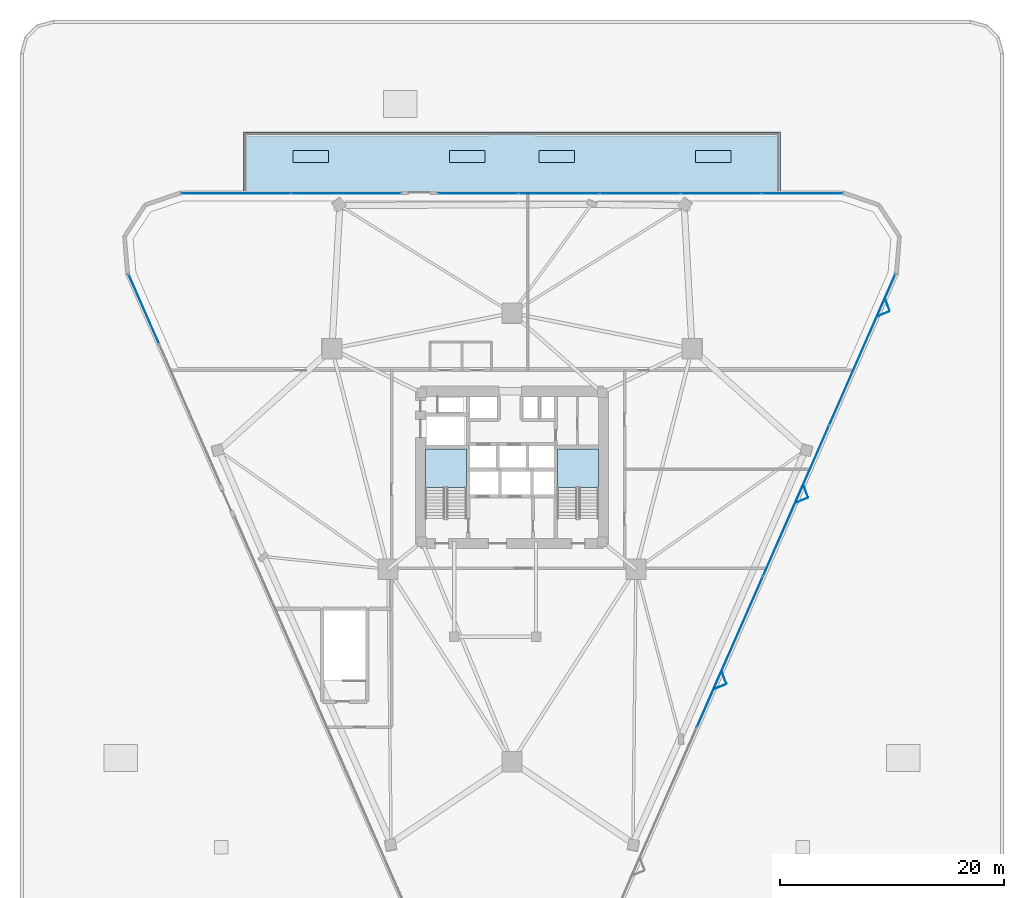
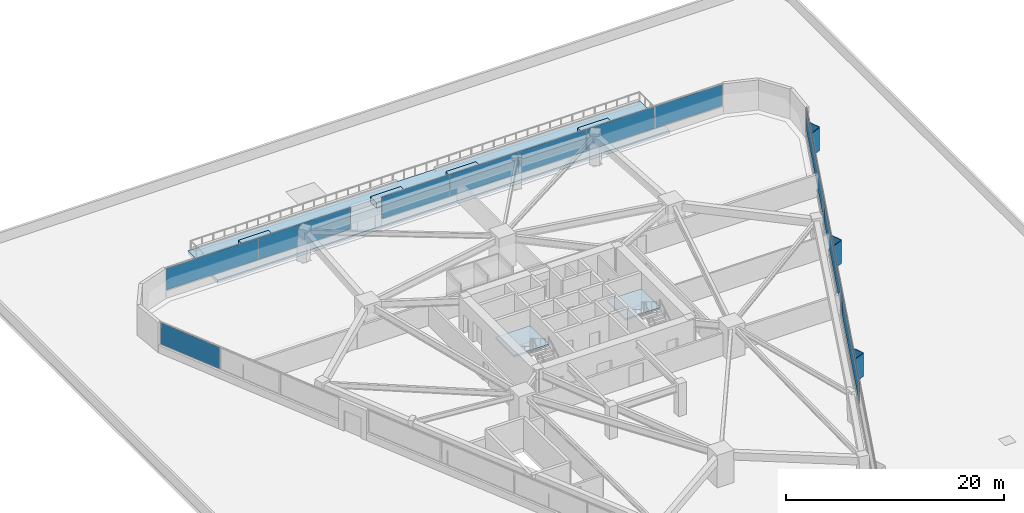
# One storey, part 14 of 21: 21 plates, 3 slabs, 6 elements without a shape of their own.
"""IFC4 building model written with IfcOpenShell, lengths in metres."""

from ifc_helpers import new_model, si_unit, direction, frame, origin, origin_2d, place, context, subcontext, project, spatial, polyline, rectangle, outline, extrude, material, layer, layer_set, type_object, element, aggregate, save


model = new_model("IFC4")

# Units and contexts
model_context = context("Model", 3, precision=1e-05, world=origin(), true_north=direction((0.0, 1.0)))
body_context = subcontext(model_context, "Body", "Model", "MODEL_VIEW")
ifc_project = project(units=[si_unit("LENGTHUNIT", "METRE"), si_unit("AREAUNIT", "SQUARE_METRE"), si_unit("VOLUMEUNIT", "CUBIC_METRE"), si_unit("PLANEANGLEUNIT", "RADIAN"), si_unit("MASSUNIT", "GRAM", prefix="KILO")], contexts=[model_context])

# Site, building, storey
site_placement = place(None, origin())
site = spatial("IfcSite", under=ifc_project, at=site_placement, CompositionType="ELEMENT")
building_placement = place(site_placement, origin())
building = spatial("IfcBuilding", under=site, at=building_placement, Name="Talyreon Biosciences Tower", CompositionType="ELEMENT")
storey_placement = place(building_placement, frame((0.0, 0.0, 22.800048828125)))
storey = spatial("IfcBuildingStorey", under=building, at=storey_placement, Name="L05", CompositionType="ELEMENT", Elevation=22.800048828125)

# Curtain wall, plate
ifc_material_1 = material(Name="Thermally broken aluminium and low-E glazing", Category="aluminium")
ifc_layer_1 = layer(ifc_material_1, 0.195068359375)
ifc_layer_set_1 = layer_set([ifc_layer_1], Name="Thermally broken aluminium and low-E glazing")
curtain_wall_type = type_object("IfcCurtainWallType", Name="CurtainWall_Zone1WetLab", PredefinedType="NOTDEFINED", material=ifc_layer_set_1)
curtain_wall_1_placement = place(storey_placement, origin())
curtain_wall_1 = element("IfcCurtainWall", 1, at=curtain_wall_1_placement, inside=storey, type_object=curtain_wall_type, Name="L05 Unitised Curtain Wall FCW-L05-00B", PredefinedType="NOTDEFINED")
ifc_material_2 = material(Name="Triple-silver low-E insulated glazing", Category="glass")
ifc_layer_2 = layer(ifc_material_2, 0.031982421875)
ifc_layer_set_2 = layer_set([ifc_layer_2], Name="Triple-silver low-E insulated glazing")
plate_type_1 = type_object("IfcPlateType", Name="CWGlazingPanel_32", PredefinedType="CURTAIN_PANEL", material=ifc_layer_set_2)
plate_1_placement = place(storey_placement, frame((33.078857421875, 82.14990234375, 0.875), z_axis=(0.0, 0.0, 1.0), x_axis=(-0.401346835636, 0.915926152878, 0.0)))
plate_1 = element("IfcPlate", 2, at=plate_1_placement, type_object=plate_type_1, Name="CW2 panel 3.1", PredefinedType="CURTAIN_PANEL", context=body_context, shape_type="SweptSolid", body=[
    extrude(rectangle(XDim=6.7470703125, YDim=0.031982421875, at=origin_2d()), origin(), (0.0, 0.0, 1.0), 2.43505859375),
])
aggregate(curtain_wall_1, [plate_1])

# Curtain wall, plates
curtain_wall_2_placement = place(storey_placement, origin())
curtain_wall_2 = element("IfcCurtainWall", 3, at=curtain_wall_2_placement, inside=storey, type_object=curtain_wall_type, Name="L05 Unitised Curtain Wall FCW-L05-04A", PredefinedType="NOTDEFINED")
plate_2_placement = place(storey_placement, frame((41.334716796875, 92.474365234375, 0.875), z_axis=(0.0, 0.0, 1.0), x_axis=(1.0, 0.0, 0.0)))
plate_2 = element("IfcPlate", 4, at=plate_2_placement, type_object=plate_type_1, Name="CW2 panel 1.1", PredefinedType="CURTAIN_PANEL", context=body_context, shape_type="SweptSolid", body=[
    extrude(rectangle(XDim=9.762451171875, YDim=0.031982421875, at=origin_2d()), origin(), (0.0, 0.0, 1.0), 2.43505859375),
])
plate_3_placement = place(storey_placement, frame((51.162353515625, 92.474365234375, 0.875), z_axis=(0.0, 0.0, 1.0), x_axis=(1.0, 0.0, 0.0)))
plate_3 = element("IfcPlate", 5, at=plate_3_placement, type_object=plate_type_1, Name="CW2 panel 2.1", PredefinedType="CURTAIN_PANEL", context=body_context, shape_type="SweptSolid", body=[
    extrude(rectangle(XDim=9.762451171875, YDim=0.031982421875, at=origin_2d()), origin(), (0.0, 0.0, 1.0), 2.43505859375),
])
aggregate(curtain_wall_2, [plate_2, plate_3])

curtain_wall_3_placement = place(storey_placement, origin())
curtain_wall_3 = element("IfcCurtainWall", 6, at=curtain_wall_3_placement, inside=storey, type_object=curtain_wall_type, Name="L05 Unitised Curtain Wall FCW-L05-04B", PredefinedType="NOTDEFINED")
plate_4_placement = place(storey_placement, frame((62.955078125, 92.474365234375, 0.875), z_axis=(0.0, 0.0, 1.0), x_axis=(1.0, 0.0, 0.0)))
plate_4 = element("IfcPlate", 7, at=plate_4_placement, type_object=plate_type_1, Name="CW2 panel 1.1", PredefinedType="CURTAIN_PANEL", context=body_context, shape_type="SweptSolid", body=[
    extrude(rectangle(XDim=7.1630859375, YDim=0.031982421875, at=origin_2d()), origin(), (0.0, 0.0, 1.0), 2.43505859375),
])
plate_5_placement = place(storey_placement, frame((70.199462890625, 92.474365234375, 0.875), z_axis=(0.0, 0.0, 1.0), x_axis=(1.0, 0.0, 0.0)))
plate_5 = element("IfcPlate", 8, at=plate_5_placement, type_object=plate_type_1, Name="CW2 panel 2.1", PredefinedType="CURTAIN_PANEL", context=body_context, shape_type="SweptSolid", body=[
    extrude(rectangle(XDim=7.195556640625, YDim=0.031982421875, at=origin_2d()), origin(), (0.0, 0.0, 1.0), 2.43505859375),
])
plate_6_placement = place(storey_placement, frame((77.4599609375, 92.474365234375, 0.875), z_axis=(0.0, 0.0, 1.0), x_axis=(1.0, 0.0, 0.0)))
plate_6 = element("IfcPlate", 9, at=plate_6_placement, type_object=plate_type_1, Name="CW2 panel 3.1", PredefinedType="CURTAIN_PANEL", context=body_context, shape_type="SweptSolid", body=[
    extrude(rectangle(XDim=7.195556640625, YDim=0.031982421875, at=origin_2d()), origin(), (0.0, 0.0, 1.0), 2.43505859375),
])
plate_7_placement = place(storey_placement, frame((84.720703125, 92.474365234375, 0.875), z_axis=(0.0, 0.0, 1.0), x_axis=(1.0, 0.0, 0.0)))
plate_7 = element("IfcPlate", 10, at=plate_7_placement, type_object=plate_type_1, Name="CW2 panel 4.1", PredefinedType="CURTAIN_PANEL", context=body_context, shape_type="SweptSolid", body=[
    extrude(rectangle(XDim=7.195556640625, YDim=0.031982421875, at=origin_2d()), origin(), (0.0, 0.0, 1.0), 2.43505859375),
])
plate_8_placement = place(storey_placement, frame((91.96484375, 92.474365234375, 0.875), z_axis=(0.0, 0.0, 1.0), x_axis=(1.0, 0.0, 0.0)))
plate_8 = element("IfcPlate", 11, at=plate_8_placement, type_object=plate_type_1, Name="CW2 panel 5.1", PredefinedType="CURTAIN_PANEL", context=body_context, shape_type="SweptSolid", body=[
    extrude(rectangle(XDim=7.1630859375, YDim=0.031982421875, at=origin_2d()), origin(), (0.0, 0.0, 1.0), 2.43505859375),
])
aggregate(curtain_wall_3, [plate_4, plate_5, plate_6, plate_7, plate_8])

curtain_wall_4_placement = place(storey_placement, origin())
curtain_wall_4 = element("IfcCurtainWall", 12, at=curtain_wall_4_placement, inside=storey, type_object=curtain_wall_type, Name="L05 Unitised Curtain Wall FCW-L05-08", PredefinedType="NOTDEFINED")
plate_9_placement = place(storey_placement, frame((97.33349609375, 78.526611328125, 0.875), z_axis=(0.0, 0.0, 1.0), x_axis=(-0.401345129249, -0.915926900592, 0.0)))
plate_9 = element("IfcPlate", 13, at=plate_9_placement, type_object=plate_type_1, Name="CW2 panel 1.1", PredefinedType="CURTAIN_PANEL", context=body_context, shape_type="SweptSolid", body=[
    extrude(rectangle(XDim=14.65869140625, YDim=0.031982421875, at=origin_2d()), origin(), (0.0, 0.0, 1.0), 2.43505859375),
])
plate_10_placement = place(storey_placement, frame((91.417724609375, 65.026123046875, 0.875), z_axis=(0.0, 0.0, 1.0), x_axis=(-0.401345129249, -0.915926900592, 0.0)))
plate_10 = element("IfcPlate", 14, at=plate_10_placement, type_object=plate_type_1, Name="CW2 panel 2.1", PredefinedType="CURTAIN_PANEL", context=body_context, shape_type="SweptSolid", body=[
    extrude(rectangle(XDim=14.691162109375, YDim=0.031982421875, at=origin_2d()), origin(), (0.0, 0.0, 1.0), 2.43505859375),
])
plate_11_placement = place(storey_placement, frame((85.495361328125, 51.510498046875, 0.875), z_axis=(0.0, 0.0, 1.0), x_axis=(-0.401345129249, -0.915926900592, 0.0)))
plate_11 = element("IfcPlate", 15, at=plate_11_placement, type_object=plate_type_1, Name="CW2 panel 3.1", PredefinedType="CURTAIN_PANEL", context=body_context, shape_type="SweptSolid", body=[
    extrude(rectangle(XDim=14.691162109375, YDim=0.031982421875, at=origin_2d()), origin(), (0.0, 0.0, 1.0), 2.43505859375),
])
aggregate(curtain_wall_4, [plate_9, plate_10, plate_11])

# Plates
ifc_material_3 = material(Name="Ivory GFRC sunshade panel", Category="concrete")
ifc_layer_3 = layer(ifc_material_3, 0.044921875)
ifc_layer_set_3 = layer_set([ifc_layer_3], Name="Ivory GFRC sunshade panel")
plate_type_2 = type_object("IfcPlateType", Name="FoldedVSunshade_SunFace_SUNSHADE", PredefinedType="USERDEFINED", material=ifc_layer_set_3)
for number, where, z_axis, x_axis, name in (
    (16, (99.572265625, 82.539794921875, 0.7900390625), (0.0, 0.0, 1.0), (0.347557606722, -0.937658631918, 0.0), "L05 Folded V-Sunshade Panel 08.01L"),
    (17, (99.211181640625, 81.715576171875, 0.7900390625), (0.0, 0.0, 1.0), (-0.924957850064, -0.380069698351, 0.0), "L05 Folded V-Sunshade Panel 08.01R"),
    (18, (92.267822265625, 65.8701171875, 0.7900390625), (0.0, 0.0, 1.0), (0.347557606722, -0.937658631918, 0.0), "L05 Folded V-Sunshade Panel 08.02L"),
    (19, (91.906494140625, 65.045654296875, 0.7900390625), (0.0, 0.0, 1.0), (-0.924957850064, -0.380069698351, 0.0), "L05 Folded V-Sunshade Panel 08.02R"),
    (20, (84.96337890625, 49.2001953125, 0.7900390625), (0.0, 0.0, 1.0), (0.347557606722, -0.937658631918, 0.0), "L05 Folded V-Sunshade Panel 08.03L"),
    (21, (84.602294921875, 48.375732421875, 0.7900390625), (0.0, 0.0, 1.0), (-0.924957850064, -0.380069698351, 0.0), "L05 Folded V-Sunshade Panel 08.03R"),
):
    element("IfcPlate", number, at=place(storey_placement, frame(where, z_axis=z_axis, x_axis=x_axis)), inside=storey, type_object=plate_type_2, Name=name, ObjectType="SUNSHADE", PredefinedType="USERDEFINED", context=body_context, shape_type="SweptSolid", body=[
        extrude(rectangle(XDim=1.14990234375, YDim=0.044921875, at=origin_2d()), origin(), (0.0, 0.0, 1.0), 2.5849609375),
    ])

# Slab
ifc_material_4 = material(Name="Concrete C40/50", Category="concrete")
ifc_layer_4 = layer(ifc_material_4, 0.360107421875)
ifc_layer_set_4 = layer_set([ifc_layer_4], Name="Concrete C40/50")
slab_type_1 = type_object("IfcSlabType", Name="PodiumGardenRoof_360", PredefinedType="ROOF", material=ifc_layer_set_4)
slab_1_placement = place(storey_placement, frame((0.0, 0.0, -0.360107421875)))
element("IfcSlab", 22, at=slab_1_placement, inside=storey, type_object=slab_type_1, Name="L05 Podium Roof Garden Terrace", PredefinedType="ROOF", context=body_context, shape_type="SweptSolid", body=[
    extrude(outline(polyline([(42.0, 98.0), (90.0, 98.0), (90.0, 92.55419921875), (42.0, 92.55419921875), (42.0, 98.0)])), origin(), (0.0, 0.0, 1.0), 0.360107421875),
])

# Plates
ifc_material_5 = material(Name="Terracotta-faced precast planter Concrete C40/50", Category="masonry")
ifc_layer_5 = layer(ifc_material_5, 0.64990234375)
ifc_layer_set_5 = layer_set([ifc_layer_5], Name="Terracotta-faced precast planter Concrete C40/50")
plate_type_3 = type_object("IfcPlateType", Name="SkyGardenPlanter_PLANTER", PredefinedType="USERDEFINED", material=ifc_layer_set_5)
for number, where, z_axis, x_axis, name in (
    (23, (48.0, 95.800048828125, 0.0), (0.0, 0.0, 1.0), (1.0, 0.0, 0.0), "L05 Podium Garden Planter 01"),
    (24, (62.0, 95.800048828125, 0.0), (0.0, 0.0, 1.0), (1.0, 0.0, 0.0), "L05 Podium Garden Planter 02"),
    (25, (70.0, 95.800048828125, 0.0), (0.0, 0.0, 1.0), (1.0, 0.0, 0.0), "L05 Podium Garden Planter 03"),
    (26, (84.0, 95.800048828125, 0.0), (0.0, 0.0, 1.0), (1.0, 0.0, 0.0), "L05 Podium Garden Planter 04"),
):
    element("IfcPlate", number, at=place(storey_placement, frame(where, z_axis=z_axis, x_axis=x_axis)), inside=storey, type_object=plate_type_3, Name=name, ObjectType="PLANTER", PredefinedType="USERDEFINED", context=body_context, shape_type="SweptSolid", body=[
        extrude(rectangle(XDim=3.199951171875, YDim=1.10009765625, at=origin_2d()), origin(), (0.0, 0.0, 1.0), 0.64990234375),
    ])

# Stair, slab
stair_type = type_object("IfcStairType", Name="DoglegEscapeStair_3650", PredefinedType="HALF_TURN_STAIR", material=ifc_material_4)
stair_1_placement = place(storey_placement, origin())
stair_1 = element("IfcStair", 27, at=stair_1_placement, inside=storey, type_object=stair_type, Name="L05 Core Escape Stair 1", PredefinedType="HALF_TURN_STAIR")
ifc_layer_6 = layer(ifc_material_4, 0.199951171875)
ifc_layer_set_6 = layer_set([ifc_layer_6], Name="Concrete C40/50")
slab_type_2 = type_object("IfcSlabType", Name="StairLandingSlab_200", PredefinedType="LANDING", material=ifc_layer_set_6)
slab_2_placement = place(storey_placement, frame((0.0, 0.0, 1.625)))
slab_2 = element("IfcSlab", 28, at=slab_2_placement, type_object=slab_type_2, Name="ST-1 landing 1", PredefinedType="LANDING", context=body_context, shape_type="SweptSolid", body=[
    extrude(outline(polyline([(61.929931640625, 66.199951171875), (61.929931640625, 69.64990234375), (58.25, 69.64990234375), (58.25, 66.199951171875), (61.929931640625, 66.199951171875)])), origin(), (0.0, 0.0, 1.0), 0.199951171875),
])
aggregate(stair_1, [slab_2])

stair_2_placement = place(storey_placement, origin())
stair_2 = element("IfcStair", 29, at=stair_2_placement, inside=storey, type_object=stair_type, Name="L05 Core Escape Stair 2", PredefinedType="HALF_TURN_STAIR")
slab_3_placement = place(storey_placement, frame((0.0, 0.0, 1.625)))
slab_3 = element("IfcSlab", 30, at=slab_3_placement, type_object=slab_type_2, Name="ST-2 landing 1", PredefinedType="LANDING", context=body_context, shape_type="SweptSolid", body=[
    extrude(outline(polyline([(73.75, 66.199951171875), (73.75, 69.64990234375), (70.070068359375, 69.64990234375), (70.070068359375, 66.199951171875), (73.75, 66.199951171875)])), origin(), (0.0, 0.0, 1.0), 0.199951171875),
])
aggregate(stair_2, [slab_3])

save(model, "model.ifc")
